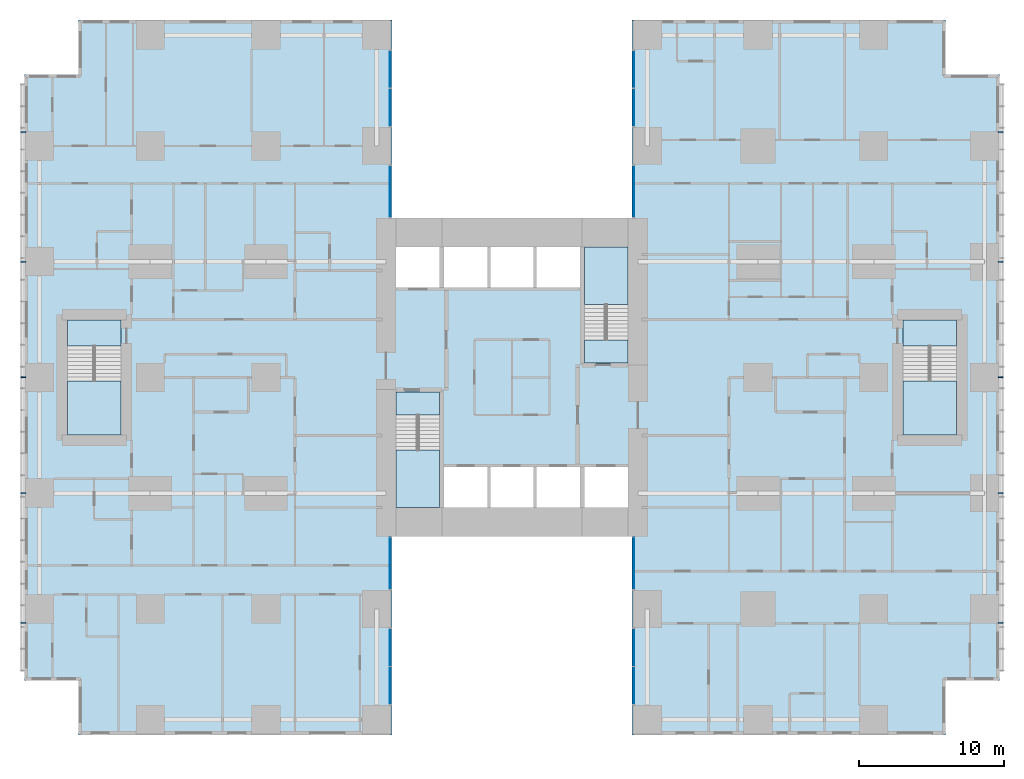
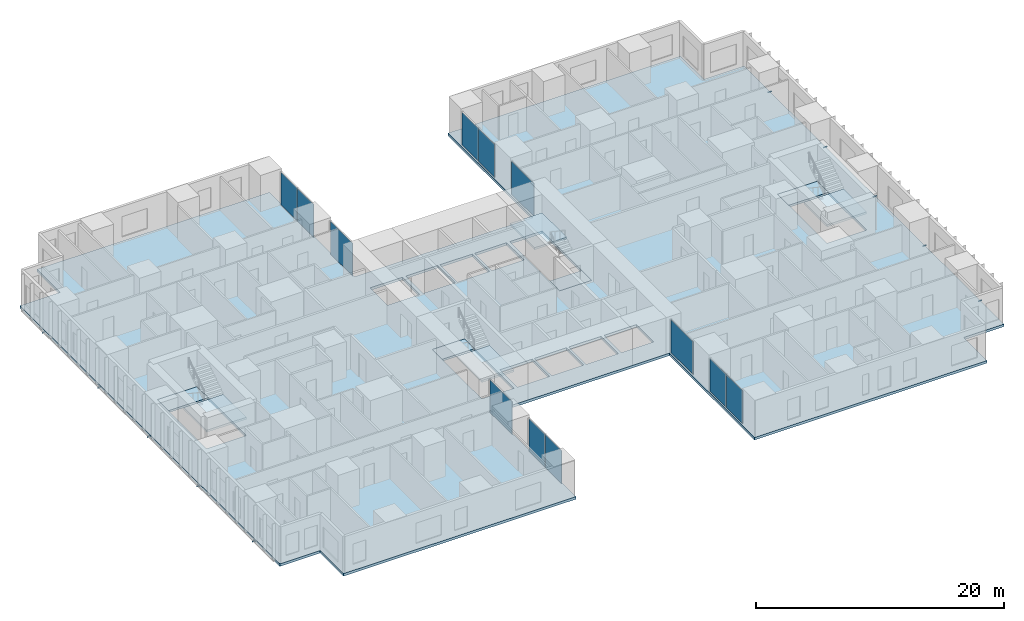
# One storey, part 7 of 20: 12 plates, 10 members, 9 slabs, 12 elements without a shape of their own.
"""IFC4 building model written with IfcOpenShell, lengths in metres."""

from ifc_helpers import new_model, si_unit, direction, frame, origin, origin_2d, place, context, subcontext, project, spatial, polyline, rectangle, hollow_rectangle, outline, extrude, material, layer, layer_set, material_profile, profile_set, type_object, element, aggregate, save


model = new_model("IFC4")

# Units and contexts
model_context = context("Model", 3, precision=1e-05, world=origin(), true_north=direction((0.0, 1.0)))
body_context = subcontext(model_context, "Body", "Model", "MODEL_VIEW")
ifc_project = project(units=[si_unit("LENGTHUNIT", "METRE"), si_unit("AREAUNIT", "SQUARE_METRE"), si_unit("VOLUMEUNIT", "CUBIC_METRE"), si_unit("PLANEANGLEUNIT", "RADIAN"), si_unit("MASSUNIT", "GRAM", prefix="KILO")], contexts=[model_context])

# Site, building, storey
site_placement = place(None, origin())
site = spatial("IfcSite", under=ifc_project, at=site_placement, CompositionType="ELEMENT")
building_placement = place(site_placement, origin())
building = spatial("IfcBuilding", under=site, at=building_placement, Name="Cleftline Residences", CompositionType="ELEMENT")
storey_placement = place(building_placement, frame((0.0, 0.0, 72.800048828125)))
storey = spatial("IfcBuildingStorey", under=building, at=storey_placement, Name="L18", CompositionType="ELEMENT", Elevation=72.800048828125)

# Members
ifc_material_1 = material(Name="Steel S355, hot-dip galvanised", Category="steel")
ifc_material_profile = material_profile(ifc_material_1, hollow_rectangle(XDim=0.10009765625, YDim=0.10009765625, WallThickness=0.008056640625, InnerFilletRadius=0.008056640625, OuterFilletRadius=0.011962890625, at=origin_2d()))
ifc_profile_set = profile_set([ifc_material_profile], Name="Steel S355, hot-dip galvanised")
member_type = type_object("IfcMemberType", Name="BAGUETTE BRACKET SHS 100X100X8", PredefinedType="USERDEFINED", material=ifc_profile_set)
for number, where, z_axis, x_axis, name in (
    (1, (66.60009765625, 7.050048828125, -0.150146484375), (1.0, 0.0, 0.0), (0.0, 1.0, 0.0), "Baguette bracket"),
    (2, (66.60009765625, 16.0, -0.150146484375), (1.0, 0.0, 0.0), (0.0, 1.0, 0.0), "Baguette bracket"),
    (3, (66.60009765625, 24.0, -0.150146484375), (1.0, 0.0, 0.0), (0.0, 1.0, 0.0), "Baguette bracket"),
    (4, (66.60009765625, 32.0, -0.150146484375), (1.0, 0.0, 0.0), (0.0, 1.0, 0.0), "Baguette bracket"),
    (5, (66.60009765625, 40.949951171875, -0.150146484375), (1.0, 0.0, 0.0), (0.0, 1.0, 0.0), "Baguette bracket"),
    (6, (-0.60009765625, 40.949951171875, -0.150146484375), (-1.0, 0.0, 0.0), (0.0, -1.0, 0.0), "Baguette bracket"),
    (7, (-0.60009765625, 32.0, -0.150146484375), (-1.0, 0.0, 0.0), (0.0, -1.0, 0.0), "Baguette bracket"),
    (8, (-0.60009765625, 24.0, -0.150146484375), (-1.0, 0.0, 0.0), (0.0, -1.0, 0.0), "Baguette bracket"),
    (9, (-0.60009765625, 16.0, -0.150146484375), (-1.0, 0.0, 0.0), (0.0, -1.0, 0.0), "Baguette bracket"),
    (10, (-0.60009765625, 7.050048828125, -0.150146484375), (-1.0, 0.0, 0.0), (0.0, -1.0, 0.0), "Baguette bracket"),
):
    element("IfcMember", number, at=place(storey_placement, frame(where, z_axis=z_axis, x_axis=x_axis)), inside=storey, type_object=member_type, Name=name, ObjectType="BAGUETTE BRACKET", PredefinedType="USERDEFINED", context=body_context, shape_type="SweptSolid", body=[
        extrude(hollow_rectangle(XDim=0.10009765625, YDim=0.10009765625, WallThickness=0.008056640625, InnerFilletRadius=0.008056640625, OuterFilletRadius=0.011962890625, at=origin_2d()), origin(), (0.0, 0.0, 1.0), 0.349853515625),
    ])

# Curtain wall, plates
ifc_material_2 = material(Name="Aluminium framed curtain wall", Category="aluminium")
ifc_layer_1 = layer(ifc_material_2, 0.199951171875)
ifc_layer_set_1 = layer_set([ifc_layer_1], Name="CW1 CLEFT GLAZING")
curtain_wall_type = type_object("IfcCurtainWallType", Name="CW1 CLEFT GLAZING", PredefinedType="NOTDEFINED", material=ifc_layer_set_1)
curtain_wall_1_placement = place(storey_placement, origin())
curtain_wall_1 = element("IfcCurtainWall", 11, at=curtain_wall_1_placement, inside=storey, type_object=curtain_wall_type, Name="Curtain wall CW1", PredefinedType="NOTDEFINED")
ifc_material_3 = material(Name="Laminated clear glass", Category="glass")
ifc_layer_2 = layer(ifc_material_3, 0.028076171875)
ifc_layer_set_2 = layer_set([ifc_layer_2], Name="CW1 GLASS PANEL")
plate_type = type_object("IfcPlateType", Name="CW1 GLASS PANEL", PredefinedType="CURTAIN_PANEL", material=ifc_layer_set_2)
plate_1_placement = place(storey_placement, frame((24.574951171875, 2.702392578125, 0.06005859375), z_axis=(0.0, 0.0, 1.0), x_axis=(0.0, 1.0, 0.0)))
plate_1 = element("IfcPlate", 12, at=plate_1_placement, type_object=plate_type, Name="CW1 panel 1.1", PredefinedType="CURTAIN_PANEL", context=body_context, shape_type="SweptSolid", body=[
    extrude(rectangle(XDim=2.5849609375, YDim=0.028076171875, at=origin_2d()), origin(), (0.0, 0.0, 1.0), 3.22998046875),
])
plate_2_placement = place(storey_placement, frame((24.574951171875, 5.347412109375, 0.06005859375), z_axis=(0.0, 0.0, 1.0), x_axis=(0.0, 1.0, 0.0)))
plate_2 = element("IfcPlate", 13, at=plate_2_placement, type_object=plate_type, Name="CW1 panel 2.1", PredefinedType="CURTAIN_PANEL", context=body_context, shape_type="SweptSolid", body=[
    extrude(rectangle(XDim=2.5849609375, YDim=0.028076171875, at=origin_2d()), origin(), (0.0, 0.0, 1.0), 3.22998046875),
])
aggregate(curtain_wall_1, [plate_1, plate_2])

# Curtain wall, plate
curtain_wall_2_placement = place(storey_placement, origin())
curtain_wall_2 = element("IfcCurtainWall", 14, at=curtain_wall_2_placement, inside=storey, type_object=curtain_wall_type, Name="Curtain wall CW1", PredefinedType="NOTDEFINED")
plate_3_placement = place(storey_placement, frame((24.574951171875, 11.14990234375, 0.06005859375), z_axis=(0.0, 0.0, 1.0), x_axis=(0.0, 1.0, 0.0)))
plate_3 = element("IfcPlate", 15, at=plate_3_placement, type_object=plate_type, Name="CW1 panel 1.1", PredefinedType="CURTAIN_PANEL", context=body_context, shape_type="SweptSolid", body=[
    extrude(rectangle(XDim=3.580078125, YDim=0.028076171875, at=origin_2d()), origin(), (0.0, 0.0, 1.0), 3.22998046875),
])
aggregate(curtain_wall_2, [plate_3])

curtain_wall_3_placement = place(storey_placement, origin())
curtain_wall_3 = element("IfcCurtainWall", 16, at=curtain_wall_3_placement, inside=storey, type_object=curtain_wall_type, Name="Curtain wall CW1", PredefinedType="NOTDEFINED")
plate_4_placement = place(storey_placement, frame((41.425048828125, 11.14990234375, 0.06005859375), z_axis=(0.0, 0.0, 1.0), x_axis=(0.0, -1.0, 0.0)))
plate_4 = element("IfcPlate", 17, at=plate_4_placement, type_object=plate_type, Name="CW1 panel 1.1", PredefinedType="CURTAIN_PANEL", context=body_context, shape_type="SweptSolid", body=[
    extrude(rectangle(XDim=3.580078125, YDim=0.028076171875, at=origin_2d()), origin(), (0.0, 0.0, 1.0), 3.22998046875),
])
aggregate(curtain_wall_3, [plate_4])

# Curtain wall, plates
curtain_wall_4_placement = place(storey_placement, origin())
curtain_wall_4 = element("IfcCurtainWall", 18, at=curtain_wall_4_placement, inside=storey, type_object=curtain_wall_type, Name="Curtain wall CW1", PredefinedType="NOTDEFINED")
plate_5_placement = place(storey_placement, frame((41.425048828125, 5.347412109375, 0.06005859375), z_axis=(0.0, 0.0, 1.0), x_axis=(0.0, -1.0, 0.0)))
plate_5 = element("IfcPlate", 19, at=plate_5_placement, type_object=plate_type, Name="CW1 panel 1.1", PredefinedType="CURTAIN_PANEL", context=body_context, shape_type="SweptSolid", body=[
    extrude(rectangle(XDim=2.5849609375, YDim=0.028076171875, at=origin_2d()), origin(), (0.0, 0.0, 1.0), 3.22998046875),
])
plate_6_placement = place(storey_placement, frame((41.425048828125, 2.702392578125, 0.06005859375), z_axis=(0.0, 0.0, 1.0), x_axis=(0.0, -1.0, 0.0)))
plate_6 = element("IfcPlate", 20, at=plate_6_placement, type_object=plate_type, Name="CW1 panel 2.1", PredefinedType="CURTAIN_PANEL", context=body_context, shape_type="SweptSolid", body=[
    extrude(rectangle(XDim=2.5849609375, YDim=0.028076171875, at=origin_2d()), origin(), (0.0, 0.0, 1.0), 3.22998046875),
])
aggregate(curtain_wall_4, [plate_5, plate_6])

curtain_wall_5_placement = place(storey_placement, origin())
curtain_wall_5 = element("IfcCurtainWall", 21, at=curtain_wall_5_placement, inside=storey, type_object=curtain_wall_type, Name="Curtain wall CW1", PredefinedType="NOTDEFINED")
plate_7_placement = place(storey_placement, frame((41.425048828125, 45.297607421875, 0.06005859375), z_axis=(0.0, 0.0, 1.0), x_axis=(0.0, -1.0, 0.0)))
plate_7 = element("IfcPlate", 22, at=plate_7_placement, type_object=plate_type, Name="CW1 panel 1.1", PredefinedType="CURTAIN_PANEL", context=body_context, shape_type="SweptSolid", body=[
    extrude(rectangle(XDim=2.5849609375, YDim=0.028076171875, at=origin_2d()), origin(), (0.0, 0.0, 1.0), 3.22998046875),
])
plate_8_placement = place(storey_placement, frame((41.425048828125, 42.652587890625, 0.06005859375), z_axis=(0.0, 0.0, 1.0), x_axis=(0.0, -1.0, 0.0)))
plate_8 = element("IfcPlate", 23, at=plate_8_placement, type_object=plate_type, Name="CW1 panel 2.1", PredefinedType="CURTAIN_PANEL", context=body_context, shape_type="SweptSolid", body=[
    extrude(rectangle(XDim=2.5849609375, YDim=0.028076171875, at=origin_2d()), origin(), (0.0, 0.0, 1.0), 3.22998046875),
])
aggregate(curtain_wall_5, [plate_7, plate_8])

# Curtain wall, plate
curtain_wall_6_placement = place(storey_placement, origin())
curtain_wall_6 = element("IfcCurtainWall", 24, at=curtain_wall_6_placement, inside=storey, type_object=curtain_wall_type, Name="Curtain wall CW1", PredefinedType="NOTDEFINED")
plate_9_placement = place(storey_placement, frame((41.425048828125, 36.85009765625, 0.06005859375), z_axis=(0.0, 0.0, 1.0), x_axis=(0.0, -1.0, 0.0)))
plate_9 = element("IfcPlate", 25, at=plate_9_placement, type_object=plate_type, Name="CW1 panel 1.1", PredefinedType="CURTAIN_PANEL", context=body_context, shape_type="SweptSolid", body=[
    extrude(rectangle(XDim=3.580078125, YDim=0.028076171875, at=origin_2d()), origin(), (0.0, 0.0, 1.0), 3.22998046875),
])
aggregate(curtain_wall_6, [plate_9])

curtain_wall_7_placement = place(storey_placement, origin())
curtain_wall_7 = element("IfcCurtainWall", 26, at=curtain_wall_7_placement, inside=storey, type_object=curtain_wall_type, Name="Curtain wall CW1", PredefinedType="NOTDEFINED")
plate_10_placement = place(storey_placement, frame((24.574951171875, 36.85009765625, 0.06005859375), z_axis=(0.0, 0.0, 1.0), x_axis=(0.0, 1.0, 0.0)))
plate_10 = element("IfcPlate", 27, at=plate_10_placement, type_object=plate_type, Name="CW1 panel 1.1", PredefinedType="CURTAIN_PANEL", context=body_context, shape_type="SweptSolid", body=[
    extrude(rectangle(XDim=3.580078125, YDim=0.028076171875, at=origin_2d()), origin(), (0.0, 0.0, 1.0), 3.22998046875),
])
aggregate(curtain_wall_7, [plate_10])

# Curtain wall, plates
curtain_wall_8_placement = place(storey_placement, origin())
curtain_wall_8 = element("IfcCurtainWall", 28, at=curtain_wall_8_placement, inside=storey, type_object=curtain_wall_type, Name="Curtain wall CW1", PredefinedType="NOTDEFINED")
plate_11_placement = place(storey_placement, frame((24.574951171875, 42.652587890625, 0.06005859375), z_axis=(0.0, 0.0, 1.0), x_axis=(0.0, 1.0, 0.0)))
plate_11 = element("IfcPlate", 29, at=plate_11_placement, type_object=plate_type, Name="CW1 panel 1.1", PredefinedType="CURTAIN_PANEL", context=body_context, shape_type="SweptSolid", body=[
    extrude(rectangle(XDim=2.5849609375, YDim=0.028076171875, at=origin_2d()), origin(), (0.0, 0.0, 1.0), 3.22998046875),
])
plate_12_placement = place(storey_placement, frame((24.574951171875, 45.297607421875, 0.06005859375), z_axis=(0.0, 0.0, 1.0), x_axis=(0.0, 1.0, 0.0)))
plate_12 = element("IfcPlate", 30, at=plate_12_placement, type_object=plate_type, Name="CW1 panel 2.1", PredefinedType="CURTAIN_PANEL", context=body_context, shape_type="SweptSolid", body=[
    extrude(rectangle(XDim=2.5849609375, YDim=0.028076171875, at=origin_2d()), origin(), (0.0, 0.0, 1.0), 3.22998046875),
])
aggregate(curtain_wall_8, [plate_11, plate_12])

# Slab
ifc_material_4 = material(Name="Concrete B45", Category="concrete")
ifc_layer_3 = layer(ifc_material_4, 0.25)
ifc_layer_set_3 = layer_set([ifc_layer_3], Name="FLOOR SLAB 250")
slab_type_1 = type_object("IfcSlabType", Name="FLOOR SLAB 250", PredefinedType="FLOOR", material=ifc_layer_set_3)
slab_1_placement = place(storey_placement, frame((0.0, 0.0, -0.25)))
element("IfcSlab", 31, at=slab_1_placement, inside=storey, type_object=slab_type_1, Name="Floor slab L18", PredefinedType="FLOOR", context=body_context, shape_type="SweptSolid", body=[
    extrude(outline(polyline([(24.699951171875, 13.0), (41.300048828125, 13.0), (41.300048828125, -0.699951171875), (62.949951171875, -0.699951171875), (62.949951171875, 3.050048828125), (66.699951171875, 3.050048828125), (66.699951171875, 44.949951171875), (62.949951171875, 44.949951171875), (62.949951171875, 48.699951171875), (41.300048828125, 48.699951171875), (41.300048828125, 35.0), (24.699951171875, 35.0), (24.699951171875, 48.699951171875), (3.050048828125, 48.699951171875), (3.050048828125, 44.949951171875), (-0.699951171875, 44.949951171875), (-0.699951171875, 3.050048828125), (3.050048828125, 3.050048828125), (3.050048828125, -0.699951171875), (24.699951171875, -0.699951171875), (24.699951171875, 13.0)]), holes=[polyline([(28.0, 15.0), (28.0, 23.0), (25.0, 23.0), (25.0, 15.0), (28.0, 15.0)]), polyline([(41.0, 25.0), (41.0, 33.0), (38.0, 33.0), (38.0, 25.0), (41.0, 25.0)]), polyline([(28.0, 30.199951171875), (28.0, 33.0), (25.0, 33.0), (25.0, 30.199951171875), (28.0, 30.199951171875)]), polyline([(41.0, 15.0), (41.0, 17.800048828125), (38.0, 17.800048828125), (38.0, 15.0), (41.0, 15.0)]), polyline([(31.300048828125, 15.0), (31.300048828125, 17.800048828125), (28.300048828125, 17.800048828125), (28.300048828125, 15.0), (31.300048828125, 15.0)]), polyline([(34.5, 15.0), (34.5, 17.800048828125), (31.5, 17.800048828125), (31.5, 15.0), (34.5, 15.0)]), polyline([(37.699951171875, 15.0), (37.699951171875, 17.800048828125), (34.699951171875, 17.800048828125), (34.699951171875, 15.0), (37.699951171875, 15.0)]), polyline([(31.300048828125, 30.199951171875), (31.300048828125, 33.0), (28.300048828125, 33.0), (28.300048828125, 30.199951171875), (31.300048828125, 30.199951171875)]), polyline([(34.5, 30.199951171875), (34.5, 33.0), (31.5, 33.0), (31.5, 30.199951171875), (34.5, 30.199951171875)]), polyline([(37.699951171875, 30.199951171875), (37.699951171875, 33.0), (34.699951171875, 33.0), (34.699951171875, 30.199951171875), (37.699951171875, 30.199951171875)]), polyline([(63.72509765625, 20.02490234375), (63.72509765625, 27.97509765625), (60.02490234375, 27.97509765625), (60.02490234375, 20.02490234375), (63.72509765625, 20.02490234375)]), polyline([(5.97509765625, 20.02490234375), (5.97509765625, 27.97509765625), (2.27490234375, 27.97509765625), (2.27490234375, 20.02490234375), (5.97509765625, 20.02490234375)])]), origin(), (0.0, 0.0, 1.0), 0.25),
])

# Stair, slabs
ifc_material_5 = material(Name="Concrete B45, stone treads", Category="masonry")
stair_type_1 = type_object("IfcStairType", Name="STAIR A 1450 WIDE 180 RISER", PredefinedType="HALF_TURN_STAIR", material=ifc_material_5)
stair_1_placement = place(storey_placement, origin())
stair_1 = element("IfcStair", 32, at=stair_1_placement, inside=storey, type_object=stair_type_1, Name="Stair A L18", PredefinedType="HALF_TURN_STAIR")
ifc_material_6 = material(Name="Concrete B45", Category="concrete")
ifc_layer_4 = layer(ifc_material_6, 0.199951171875)
ifc_layer_set_4 = layer_set([ifc_layer_4], Name="STAIR LANDING 200")
slab_type_2 = type_object("IfcSlabType", Name="STAIR LANDING 200", PredefinedType="LANDING", material=ifc_layer_set_4)
slab_2_placement = place(storey_placement, frame((0.0, 0.0, -0.199951171875)))
slab_2 = element("IfcSlab", 33, at=slab_2_placement, type_object=slab_type_2, Name="ST-A landing 1", PredefinedType="LANDING", context=body_context, shape_type="SweptSolid", body=[
    extrude(outline(polyline([(25.0, 21.39990234375), (28.0, 21.39990234375), (28.0, 23.0), (25.0, 23.0), (25.0, 21.39990234375)])), origin(), (0.0, 0.0, 1.0), 0.199951171875),
])
slab_3_placement = place(storey_placement, frame((0.0, 0.0, 1.599853515625)))
slab_3 = element("IfcSlab", 34, at=slab_3_placement, type_object=slab_type_2, Name="ST-A landing 2", PredefinedType="LANDING", context=body_context, shape_type="SweptSolid", body=[
    extrude(outline(polyline([(25.0, 15.0), (28.0, 15.0), (28.0, 18.969970703125), (25.0, 18.969970703125), (25.0, 15.0)])), origin(), (0.0, 0.0, 1.0), 0.2001953125),
])
aggregate(stair_1, [slab_2, slab_3])

ifc_material_7 = material(Name="Concrete B45, stone treads", Category="masonry")
stair_type_2 = type_object("IfcStairType", Name="STAIR B 1450 WIDE 180 RISER", PredefinedType="HALF_TURN_STAIR", material=ifc_material_7)
stair_2_placement = place(storey_placement, origin())
stair_2 = element("IfcStair", 35, at=stair_2_placement, inside=storey, type_object=stair_type_2, Name="Stair B L18", PredefinedType="HALF_TURN_STAIR")
slab_4_placement = place(storey_placement, frame((0.0, 0.0, -0.199951171875)))
slab_4 = element("IfcSlab", 36, at=slab_4_placement, type_object=slab_type_2, Name="ST-B landing 1", PredefinedType="LANDING", context=body_context, shape_type="SweptSolid", body=[
    extrude(outline(polyline([(38.0, 25.0), (41.0, 25.0), (41.0, 26.60009765625), (38.0, 26.60009765625), (38.0, 25.0)])), origin(), (0.0, 0.0, 1.0), 0.199951171875),
])
slab_5_placement = place(storey_placement, frame((0.0, 0.0, 1.599853515625)))
slab_5 = element("IfcSlab", 37, at=slab_5_placement, type_object=slab_type_2, Name="ST-B landing 2", PredefinedType="LANDING", context=body_context, shape_type="SweptSolid", body=[
    extrude(outline(polyline([(38.0, 29.030029296875), (41.0, 29.030029296875), (41.0, 33.0), (38.0, 33.0), (38.0, 29.030029296875)])), origin(), (0.0, 0.0, 1.0), 0.2001953125),
])
aggregate(stair_2, [slab_4, slab_5])

ifc_material_8 = material(Name="Concrete B45, stone treads", Category="masonry")
stair_type_3 = type_object("IfcStairType", Name="STAIR E 1800 WIDE 180 RISER", PredefinedType="HALF_TURN_STAIR", material=ifc_material_8)
stair_3_placement = place(storey_placement, origin())
stair_3 = element("IfcStair", 38, at=stair_3_placement, inside=storey, type_object=stair_type_3, Name="Stair E L18", PredefinedType="HALF_TURN_STAIR")
slab_6_placement = place(storey_placement, frame((0.0, 0.0, -0.199951171875)))
slab_6 = element("IfcSlab", 39, at=slab_6_placement, type_object=slab_type_2, Name="ST-E landing 1", PredefinedType="LANDING", context=body_context, shape_type="SweptSolid", body=[
    extrude(outline(polyline([(60.02490234375, 26.175048828125), (63.72509765625, 26.175048828125), (63.72509765625, 27.97509765625), (60.02490234375, 27.97509765625), (60.02490234375, 26.175048828125)])), origin(), (0.0, 0.0, 1.0), 0.199951171875),
])
slab_7_placement = place(storey_placement, frame((0.0, 0.0, 1.599853515625)))
slab_7 = element("IfcSlab", 40, at=slab_7_placement, type_object=slab_type_2, Name="ST-E landing 2", PredefinedType="LANDING", context=body_context, shape_type="SweptSolid", body=[
    extrude(outline(polyline([(60.02490234375, 20.02490234375), (63.72509765625, 20.02490234375), (63.72509765625, 23.7451171875), (60.02490234375, 23.7451171875), (60.02490234375, 20.02490234375)])), origin(), (0.0, 0.0, 1.0), 0.2001953125),
])
aggregate(stair_3, [slab_6, slab_7])

ifc_material_9 = material(Name="Concrete B45, stone treads", Category="masonry")
stair_type_4 = type_object("IfcStairType", Name="STAIR W 1800 WIDE 180 RISER", PredefinedType="HALF_TURN_STAIR", material=ifc_material_9)
stair_4_placement = place(storey_placement, origin())
stair_4 = element("IfcStair", 41, at=stair_4_placement, inside=storey, type_object=stair_type_4, Name="Stair W L18", PredefinedType="HALF_TURN_STAIR")
slab_8_placement = place(storey_placement, frame((0.0, 0.0, -0.199951171875)))
slab_8 = element("IfcSlab", 42, at=slab_8_placement, type_object=slab_type_2, Name="ST-W landing 1", PredefinedType="LANDING", context=body_context, shape_type="SweptSolid", body=[
    extrude(outline(polyline([(2.27490234375, 26.175048828125), (5.97509765625, 26.175048828125), (5.97509765625, 27.97509765625), (2.27490234375, 27.97509765625), (2.27490234375, 26.175048828125)])), origin(), (0.0, 0.0, 1.0), 0.199951171875),
])
slab_9_placement = place(storey_placement, frame((0.0, 0.0, 1.599853515625)))
slab_9 = element("IfcSlab", 43, at=slab_9_placement, type_object=slab_type_2, Name="ST-W landing 2", PredefinedType="LANDING", context=body_context, shape_type="SweptSolid", body=[
    extrude(outline(polyline([(2.27490234375, 20.02490234375), (5.97509765625, 20.02490234375), (5.97509765625, 23.7451171875), (2.27490234375, 23.7451171875), (2.27490234375, 20.02490234375)])), origin(), (0.0, 0.0, 1.0), 0.2001953125),
])
aggregate(stair_4, [slab_8, slab_9])

save(model, "model.ifc")
